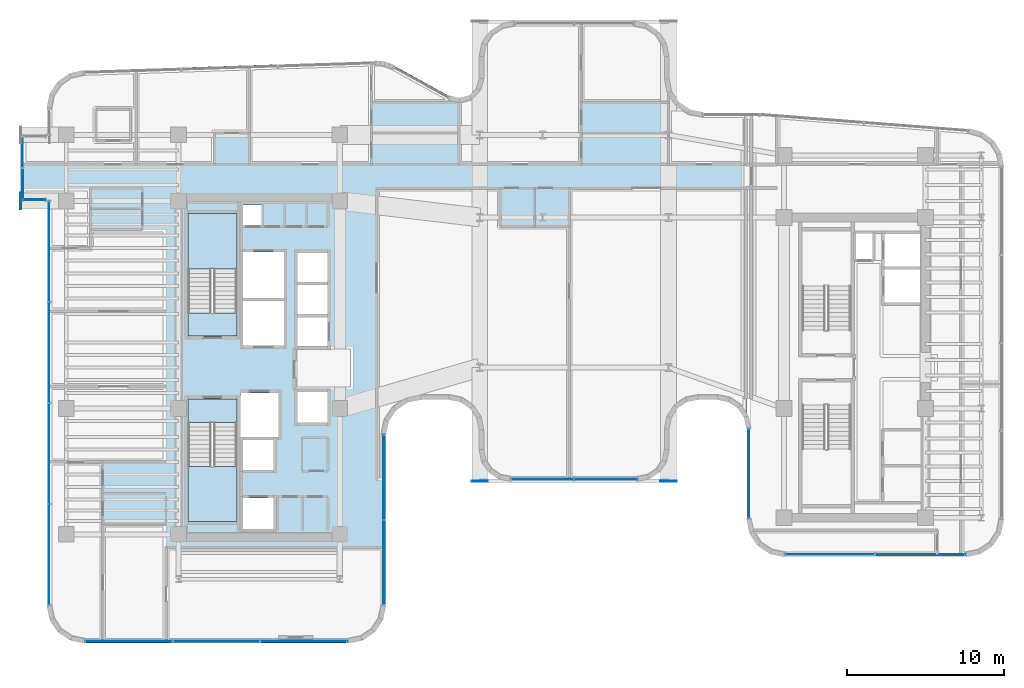
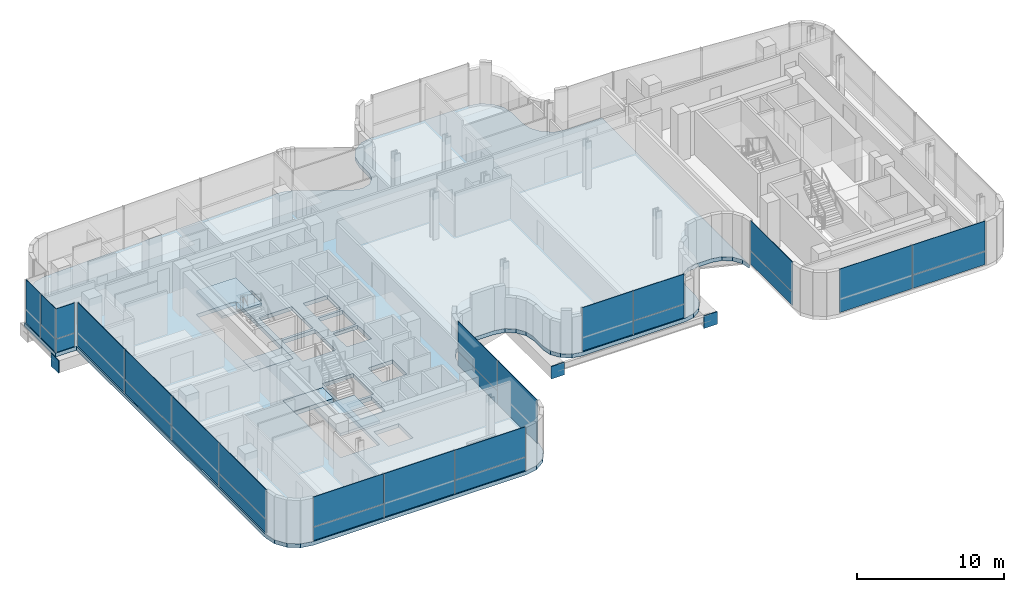
# One storey, part 25 of 39: 30 plates, 5 slabs, 10 elements without a shape of their own.
"""IFC4 building model written with IfcOpenShell, lengths in metres."""

from ifc_helpers import new_model, si_unit, direction, frame, origin, origin_2d, place, context, subcontext, project, spatial, polyline, rectangle, outline, extrude, source, transform, mapped, material, layer, layer_set, type_object, element, aggregate, save


model = new_model("IFC4")

# Units and contexts
model_context = context("Model", 3, precision=1e-05, world=origin(), true_north=direction((0.0, 1.0)))
body_context = subcontext(model_context, "Body", "Model", "MODEL_VIEW")
ifc_project = project(units=[si_unit("LENGTHUNIT", "METRE"), si_unit("AREAUNIT", "SQUARE_METRE"), si_unit("VOLUMEUNIT", "CUBIC_METRE"), si_unit("PLANEANGLEUNIT", "RADIAN"), si_unit("MASSUNIT", "GRAM", prefix="KILO")], contexts=[model_context])

# Site, building, storey
site_placement = place(None, origin())
site = spatial("IfcSite", under=ifc_project, at=site_placement, CompositionType="ELEMENT")
building_placement = place(site_placement, origin())
building = spatial("IfcBuilding", under=site, at=building_placement, Name="Valdorenza Pilgrim Sanctuary Tower", CompositionType="ELEMENT")
storey_placement = place(building_placement, frame((0.0, 0.0, 184.449951171875)))
storey = spatial("IfcBuildingStorey", under=building, at=storey_placement, Name="L47", CompositionType="ELEMENT", Elevation=184.449951171875)

# Slab
ifc_material_1 = material(Name="Concrete C40/50", Category="concrete")
ifc_layer_1 = layer(ifc_material_1, 0.320068359375, Name="Concrete C40/50")
ifc_layer_set_1 = layer_set([ifc_layer_1], Name="Concrete C40/50")
slab_type_1 = type_object("IfcSlabType", Name="SLAB-PRY-320", PredefinedType="FLOOR", material=ifc_layer_set_1)
slab_1_placement = place(storey_placement, frame((0.0, 0.0, -0.320068359375)))
element("IfcSlab", 1, at=slab_1_placement, inside=storey, type_object=slab_type_1, Name="L47 Structural Floor Slab 1", PredefinedType="FLOOR", context=body_context, shape_type="SweptSolid", body=[
    extrude(outline(polyline([(-30.324462890625, 18.14599609375), (-29.572265625, 18.671142578125), (-28.677978515625, 18.87548828125), (-10.157958984375, 19.478515625), (-9.837158203125, 19.467529296875), (-9.520751953125, 19.413818359375), (-9.214111328125, 19.318359375), (-8.923095703125, 19.182861328125), (-5.43115234375, 17.26220703125), (-4.782958984375, 17.10107421875), (-4.139892578125, 17.2822265625), (-3.671142578125, 17.75830078125), (-3.5, 18.404052734375), (-3.5, 19.7958984375), (-3.332275390625, 20.639404296875), (-2.8544921875, 21.3544921875), (-2.139404296875, 21.832275390625), (-1.2958984375, 22.0), (6.2958984375, 22.0), (7.139404296875, 21.832275390625), (7.8544921875, 21.3544921875), (8.332275390625, 20.639404296875), (8.5, 19.7958984375), (8.5, 18.404052734375), (8.667724609375, 17.560546875), (9.1455078125, 16.845458984375), (9.860595703125, 16.367919921875), (10.7041015625, 16.199951171875), (13.5, 16.199951171875), (13.5, -3.89990234375), (13.35546875, -3.1728515625), (12.943603515625, -2.556396484375), (12.3271484375, -2.14453125), (11.60009765625, -2.0), (10.39990234375, -2.0), (9.6728515625, -2.14453125), (9.056396484375, -2.556396484375), (8.64453125, -3.1728515625), (8.5, -3.89990234375), (8.5, -5.22412109375), (8.349609375, -5.980224609375), (7.921142578125, -6.62109375), (7.2802734375, -7.049560546875), (6.52392578125, -7.199951171875), (-1.52392578125, -7.199951171875), (-2.2802734375, -7.049560546875), (-2.921142578125, -6.62109375), (-3.349609375, -5.980224609375), (-3.5, -5.22412109375), (-3.5, -3.97607421875), (-3.650390625, -3.2197265625), (-4.078857421875, -2.578857421875), (-4.7197265625, -2.150390625), (-5.47607421875, -2.0), (-7.219970703125, -2.0), (-8.092529296875, -2.173583984375), (-8.832275390625, -2.667724609375), (-9.326416015625, -3.407470703125), (-9.5, -4.280029296875), (-9.5, -15.10009765625), (-9.6826171875, -16.018310546875), (-10.202880859375, -16.797119140625), (-10.981689453125, -17.3173828125), (-11.89990234375, -17.5), (-28.60009765625, -17.5), (-29.518310546875, -17.3173828125), (-30.297119140625, -16.797119140625), (-30.8173828125, -16.018310546875), (-31.0, -15.10009765625), (-31.0, 10.60009765625), (-32.64990234375, 10.60009765625), (-32.64990234375, 14.800048828125), (-31.0, 14.800048828125), (-31.0, 16.476806640625), (-30.82470703125, 17.377197265625), (-30.324462890625, 18.14599609375)]), holes=[polyline([(-16.60009765625, -10.25), (-16.60009765625, -8.300048828125), (-18.550048828125, -8.300048828125), (-18.550048828125, -10.25), (-16.60009765625, -10.25)]), polyline([(-22.050048828125, -9.800048828125), (-18.93994140625, -9.800048828125), (-18.93994140625, -3.485107421875), (-18.93994140625, -2.0), (-22.050048828125, -2.0), (-22.050048828125, -3.485107421875), (-22.050048828125, -9.800048828125)]), polyline([(-16.60009765625, -6.5), (-16.60009765625, -4.60009765625), (-18.550048828125, -4.60009765625), (-18.550048828125, -6.5), (-16.60009765625, -6.5)]), polyline([(-18.719970703125, -4.39990234375), (-16.300048828125, -4.39990234375), (-16.300048828125, -1.60009765625), (-18.719970703125, -1.60009765625), (-18.719970703125, -4.39990234375)]), polyline([(-13.179931640625, 1.35009765625), (-13.179931640625, 3.199951171875), (-15.10009765625, 3.199951171875), (-15.10009765625, 1.35009765625), (-13.179931640625, 1.35009765625)]), polyline([(-22.050048828125, 2.0), (-18.93994140625, 2.0), (-18.93994140625, 3.485107421875), (-18.93994140625, 9.800048828125), (-22.050048828125, 9.800048828125), (-22.050048828125, 3.485107421875), (-22.050048828125, 2.0)]), polyline([(-15.949951171875, 1.39990234375), (-15.949951171875, 4.22509765625), (-18.550048828125, 4.22509765625), (-18.550048828125, 1.39990234375), (-15.949951171875, 1.39990234375)]), polyline([(-18.550048828125, 4.425048828125), (-15.949951171875, 4.425048828125), (-15.949951171875, 7.35009765625), (-18.550048828125, 7.35009765625), (-18.550048828125, 4.425048828125)]), polyline([(-17.360107421875, 9.030029296875), (-17.360107421875, 10.35009765625), (-18.570068359375, 10.35009765625), (-18.570068359375, 9.030029296875), (-17.360107421875, 9.030029296875)]), polyline([(-13.179931640625, -3.5), (-13.179931640625, -1.550048828125), (-15.10009765625, -1.550048828125), (-15.10009765625, -3.5), (-13.179931640625, -3.5)]), polyline([(-13.179931640625, 3.39990234375), (-13.179931640625, 5.25), (-15.10009765625, 5.25), (-15.10009765625, 3.39990234375), (-13.179931640625, 3.39990234375)]), polyline([(-13.179931640625, 5.449951171875), (-13.179931640625, 7.300048828125), (-15.10009765625, 7.300048828125), (-15.10009765625, 5.449951171875), (-13.179931640625, 5.449951171875)])]), origin(), (0.0, 0.0, 1.0), 0.320068359375),
])

# Stair, slab
stair_type = type_object("IfcStairType", Name="STR-DOG-CORE", PredefinedType="HALF_TURN_STAIR", material=ifc_material_1)
stair_1_placement = place(storey_placement, origin())
stair_1 = element("IfcStair", 2, at=stair_1_placement, inside=storey, type_object=stair_type, Name="L47 ST-A1", PredefinedType="HALF_TURN_STAIR")
ifc_layer_2 = layer(ifc_material_1, 0.199951171875, Name="Concrete C40/50")
ifc_layer_set_2 = layer_set([ifc_layer_2], Name="Concrete C40/50")
slab_type_2 = type_object("IfcSlabType", Name="SLAB-STL-200", PredefinedType="LANDING", material=ifc_layer_set_2)
slab_2_placement = place(storey_placement, frame((0.0, 0.0, 1.775146484375)))
slab_2 = element("IfcSlab", 3, at=slab_2_placement, type_object=slab_type_2, Name="ST-A1 landing 1", PredefinedType="LANDING", context=body_context, shape_type="SweptSolid", body=[
    extrude(outline(polyline([(-18.93994140625, 6.280029296875), (-18.93994140625, 9.800048828125), (-22.050048828125, 9.800048828125), (-22.050048828125, 6.280029296875), (-18.93994140625, 6.280029296875)])), origin(), (0.0, 0.0, 1.0), 0.199951171875),
])
aggregate(stair_1, [slab_2])

stair_2_placement = place(storey_placement, origin())
stair_2 = element("IfcStair", 4, at=stair_2_placement, inside=storey, type_object=stair_type, Name="L47 ST-A2", PredefinedType="HALF_TURN_STAIR")
slab_3_placement = place(storey_placement, frame((0.0, 0.0, 1.775146484375)))
slab_3 = element("IfcSlab", 5, at=slab_3_placement, type_object=slab_type_2, Name="ST-A2 landing 1", PredefinedType="LANDING", context=body_context, shape_type="SweptSolid", body=[
    extrude(outline(polyline([(-22.050048828125, -6.280029296875), (-22.050048828125, -9.800048828125), (-18.93994140625, -9.800048828125), (-18.93994140625, -6.280029296875), (-22.050048828125, -6.280029296875)])), origin(), (0.0, 0.0, 1.0), 0.199951171875),
])
aggregate(stair_2, [slab_3])

# Slabs
ifc_material_2 = material(Name="Concrete C50/60", Category="concrete")
ifc_layer_3 = layer(ifc_material_2, 0.39990234375, Name="Concrete C50/60")
ifc_layer_set_3 = layer_set([ifc_layer_3], Name="Concrete C50/60")
slab_type_3 = type_object("IfcSlabType", Name="SLAB-TRF-400", PredefinedType="FLOOR", material=ifc_layer_set_3)
slab_4_placement = place(storey_placement, frame((0.0, 0.0, -0.35986328125)))
element("IfcSlab", 6, at=slab_4_placement, inside=storey, type_object=slab_type_3, Name="L47 ST-A1 Structural Stair Landing Bearing Slab", PredefinedType="FLOOR", context=body_context, shape_type="SweptSolid", body=[
    extrude(outline(polyline([(-22.050048828125, 2.0), (-18.93994140625, 2.0), (-18.93994140625, 3.485107421875), (-22.050048828125, 3.485107421875), (-22.050048828125, 2.0)])), origin(), (0.0, 0.0, 1.0), 0.35986328125),
])
slab_5_placement = place(storey_placement, frame((0.0, 0.0, -0.35986328125)))
element("IfcSlab", 7, at=slab_5_placement, inside=storey, type_object=slab_type_3, Name="L47 ST-A2 Structural Stair Landing Bearing Slab", PredefinedType="FLOOR", context=body_context, shape_type="SweptSolid", body=[
    extrude(outline(polyline([(-22.050048828125, -3.485107421875), (-18.93994140625, -3.485107421875), (-18.93994140625, -2.0), (-22.050048828125, -2.0), (-22.050048828125, -3.485107421875)])), origin(), (0.0, 0.0, 1.0), 0.35986328125),
])

# Plates
ifc_material_3 = material(Name="Steel ASTM A572 Grade 42", Category="steel")
ifc_layer_4 = layer(ifc_material_3, 0.06005859375, Name="Steel ASTM A572 Grade 42")
ifc_layer_set_4 = layer_set([ifc_layer_4], Name="Steel ASTM A572 Grade 42")
plate_type_1 = type_object("IfcPlateType", Name="PLT-CAP-60", PredefinedType="SHEET", material=ifc_layer_set_4)
shared_shape_1 = source(origin(), body_context, "Body", "SweptSolid", [
    extrude(rectangle(XDim=0.06005859375, YDim=1.0400390625, at=origin_2d()), origin(), (0.0, 0.0, 1.0), 1.0400390625),
])
plate_1_placement = place(storey_placement, frame((-32.679931640625, 10.60009765625, -1.340087890625), z_axis=(0.0, 0.0, 1.0), x_axis=(1.0, 0.0, 0.0)))
element("IfcPlate", 8, at=plate_1_placement, inside=storey, type_object=plate_type_1, Name="L47 BOX-WA-L47 Cantilever Tip End Cap S", PredefinedType="SHEET", context=body_context, shape_type="MappedRepresentation", body=[
    mapped(shared_shape_1, transform((0.0, 0.0, 0.0), x_axis=(1.0, 0.0, 0.0), y_axis=(0.0, 1.0, 0.0), z_axis=(0.0, 0.0, 1.0), scale=1.0)),
])
shared_shape_2 = source(origin(), body_context, "Body", "SweptSolid", [
    extrude(rectangle(XDim=1.0400390625, YDim=0.06005859375, at=origin_2d()), origin(), (0.0, 0.0, 1.0), 1.0400390625),
])
for number, where, z_axis, x_axis, name in (
    (9, (-3.5, -7.22998046875, -1.340087890625), (0.0, 0.0, 1.0), (1.0, 0.0, 0.0), "L47 South Prow Cantilever End Cap W"),
    (10, (8.5, -7.22998046875, -1.340087890625), (0.0, 0.0, 1.0), (1.0, 0.0, 0.0), "L47 South Prow Cantilever End Cap E"),
):
    element("IfcPlate", number, at=place(storey_placement, frame(where, z_axis=z_axis, x_axis=x_axis)), inside=storey, type_object=plate_type_1, Name=name, PredefinedType="SHEET", context=body_context, shape_type="MappedRepresentation", body=[
        mapped(shared_shape_2, transform((0.0, 0.0, 0.0), x_axis=(1.0, 0.0, 0.0), y_axis=(0.0, 1.0, 0.0), z_axis=(0.0, 0.0, 1.0), scale=1.0)),
    ])

# Curtain wall, plate
ifc_material_4 = material(Name="Curtain-wall IGU glazing", Category="glass")
curtain_wall_type_1 = type_object("IfcCurtainWallType", Name="CW-SYS-05", PredefinedType="NOTDEFINED", material=ifc_material_4)
curtain_wall_1_placement = place(storey_placement, origin())
curtain_wall_1 = element("IfcCurtainWall", 11, at=curtain_wall_1_placement, inside=storey, type_object=curtain_wall_type_1, Name="L47 Curtain Wall CW-L47-1-47", PredefinedType="NOTDEFINED")
ifc_material_5 = material(Name="Honed travertine limestone", Category="masonry")
ifc_layer_5 = layer(ifc_material_5, 0.050048828125, Name="Honed travertine limestone")
ifc_layer_set_5 = layer_set([ifc_layer_5], Name="Honed travertine limestone")
plate_type_2 = type_object("IfcPlateType", Name="CW-SPN-TRV", PredefinedType="USERDEFINED", material=ifc_layer_set_5)
shared_shape_3 = source(origin(), body_context, "Body", "SweptSolid", [
    extrude(rectangle(XDim=5.679931640625, YDim=0.06005859375, at=origin_2d()), origin(), (0.0, 0.0, 1.0), 1.10009765625),
])
plate_2_placement = place(storey_placement, frame((13.610107421875, -6.7392578125, 0.010009765625), z_axis=(0.0, 0.0, 1.0), x_axis=(0.0, 1.0, 0.0)))
plate_2 = element("IfcPlate", 12, at=plate_2_placement, type_object=plate_type_2, Name="CW-L47-1-47 Travertine Spandrel 1", ObjectType="SPANDREL", PredefinedType="USERDEFINED", context=body_context, shape_type="MappedRepresentation", body=[
    mapped(shared_shape_3, transform((0.0, 0.0, 0.0), x_axis=(1.0, 0.0, 0.0), y_axis=(0.0, 1.0, 0.0), z_axis=(0.0, 0.0, 1.0), scale=1.0)),
])

curtain_wall_type_2 = type_object("IfcCurtainWallType", Name="CW-SYS-02", PredefinedType="NOTDEFINED", material=ifc_material_4)
curtain_wall_2_placement = place(storey_placement, origin())
curtain_wall_2 = element("IfcCurtainWall", 13, at=curtain_wall_2_placement, inside=storey, type_object=curtain_wall_type_2, Name="L47 Curtain Wall CW-L47-BOX-WA-L47-S", PredefinedType="NOTDEFINED")
shared_shape_4 = source(origin(), body_context, "Body", "SweptSolid", [
    extrude(rectangle(XDim=1.43994140625, YDim=0.06005859375, at=origin_2d()), origin(), (0.0, 0.0, 1.0), 1.10009765625),
])
plate_3_placement = place(storey_placement, frame((-31.840087890625, 10.679931640625, 0.010009765625), z_axis=(0.0, 0.0, 1.0), x_axis=(-1.0, 0.0, 0.0)))
plate_3 = element("IfcPlate", 14, at=plate_3_placement, type_object=plate_type_2, Name="CW-L47-BOX-WA-L47-S Travertine Spandrel 1", ObjectType="SPANDREL", PredefinedType="USERDEFINED", context=body_context, shape_type="MappedRepresentation", body=[
    mapped(shared_shape_4, transform((0.0, 0.0, 0.0), x_axis=(1.0, 0.0, 0.0), y_axis=(0.0, 1.0, 0.0), z_axis=(0.0, 0.0, 1.0), scale=1.0)),
])

curtain_wall_3_placement = place(storey_placement, origin())
curtain_wall_3 = element("IfcCurtainWall", 15, at=curtain_wall_3_placement, inside=storey, type_object=curtain_wall_type_2, Name="L47 Curtain Wall CW-L47-BOX-WA-L47-F", PredefinedType="NOTDEFINED")
shared_shape_5 = source(origin(), body_context, "Body", "SweptSolid", [
    extrude(rectangle(XDim=2.0, YDim=0.06005859375, at=origin_2d()), origin(), (0.0, 0.0, 1.0), 1.10009765625),
])
plate_4_placement = place(storey_placement, frame((-32.570068359375, 11.68994140625, 0.010009765625), z_axis=(0.0, 0.0, 1.0), x_axis=(0.0, 1.0, 0.0)))
plate_4 = element("IfcPlate", 16, at=plate_4_placement, type_object=plate_type_2, Name="CW-L47-BOX-WA-L47-F Travertine Spandrel 1", ObjectType="SPANDREL", PredefinedType="USERDEFINED", context=body_context, shape_type="MappedRepresentation", body=[
    mapped(shared_shape_5, transform((0.0, 0.0, 0.0), x_axis=(1.0, 0.0, 0.0), y_axis=(0.0, 1.0, 0.0), z_axis=(0.0, 0.0, 1.0), scale=1.0)),
])

curtain_wall_type_3 = type_object("IfcCurtainWallType", Name="CW-SYS-03", PredefinedType="NOTDEFINED", material=ifc_material_4)
curtain_wall_4_placement = place(storey_placement, origin())
curtain_wall_4 = element("IfcCurtainWall", 17, at=curtain_wall_4_placement, inside=storey, type_object=curtain_wall_type_3, Name="L47 Curtain Wall CW-L47-1-42", PredefinedType="NOTDEFINED")
shared_shape_6 = source(origin(), body_context, "Body", "SweptSolid", [
    extrude(rectangle(XDim=5.71923828125, YDim=0.06005859375, at=origin_2d()), origin(), (0.0, 0.0, 1.0), 1.10009765625),
])
plate_5_placement = place(storey_placement, frame((24.51953125, -11.889892578125, 0.010009765625), z_axis=(0.0, 0.0, 1.0), x_axis=(-1.0, 0.0, 0.0)))
plate_5 = element("IfcPlate", 18, at=plate_5_placement, type_object=plate_type_2, Name="CW-L47-1-42 Travertine Spandrel 1", ObjectType="SPANDREL", PredefinedType="USERDEFINED", context=body_context, shape_type="MappedRepresentation", body=[
    mapped(shared_shape_6, transform((0.0, 0.0, 0.0), x_axis=(1.0, 0.0, 0.0), y_axis=(0.0, 1.0, 0.0), z_axis=(0.0, 0.0, 1.0), scale=1.0)),
])

curtain_wall_5_placement = place(storey_placement, origin())
curtain_wall_5 = element("IfcCurtainWall", 19, at=curtain_wall_5_placement, inside=storey, type_object=curtain_wall_type_1, Name="L47 Curtain Wall CW-L47-1-62", PredefinedType="NOTDEFINED")
shared_shape_7 = source(origin(), body_context, "Body", "SweptSolid", [
    extrude(rectangle(XDim=3.9931640625, YDim=0.06005859375, at=origin_2d()), origin(), (0.0, 0.0, 1.0), 1.10009765625),
])
plate_6_placement = place(storey_placement, frame((4.506591796875, -7.090087890625, 0.010009765625), z_axis=(0.0, 0.0, 1.0), x_axis=(-1.0, 0.0, 0.0)))
plate_6 = element("IfcPlate", 20, at=plate_6_placement, type_object=plate_type_2, Name="CW-L47-1-62 Travertine Spandrel 1", ObjectType="SPANDREL", PredefinedType="USERDEFINED", context=body_context, shape_type="MappedRepresentation", body=[
    mapped(shared_shape_7, transform((0.0, 0.0, 0.0), x_axis=(1.0, 0.0, 0.0), y_axis=(0.0, 1.0, 0.0), z_axis=(0.0, 0.0, 1.0), scale=1.0)),
])

curtain_wall_6_placement = place(storey_placement, origin())
curtain_wall_6 = element("IfcCurtainWall", 21, at=curtain_wall_6_placement, inside=storey, type_object=curtain_wall_type_1, Name="L47 Curtain Wall CW-L47-1-77", PredefinedType="NOTDEFINED")
shared_shape_8 = source(origin(), body_context, "Body", "SweptSolid", [
    extrude(rectangle(XDim=5.389892578125, YDim=0.06005859375, at=origin_2d()), origin(), (0.0, 0.0, 1.0), 1.10009765625),
])
plate_7_placement = place(storey_placement, frame((-9.610107421875, -6.97412109375, 0.010009765625), z_axis=(0.0, 0.0, 1.0), x_axis=(0.0, -1.0, 0.0)))
plate_7 = element("IfcPlate", 22, at=plate_7_placement, type_object=plate_type_2, Name="CW-L47-1-77 Travertine Spandrel 1", ObjectType="SPANDREL", PredefinedType="USERDEFINED", context=body_context, shape_type="MappedRepresentation", body=[
    mapped(shared_shape_8, transform((0.0, 0.0, 0.0), x_axis=(1.0, 0.0, 0.0), y_axis=(0.0, 1.0, 0.0), z_axis=(0.0, 0.0, 1.0), scale=1.0)),
])

# Curtain wall, plates
curtain_wall_7_placement = place(storey_placement, origin())
curtain_wall_7 = element("IfcCurtainWall", 23, at=curtain_wall_7_placement, inside=storey, type_object=curtain_wall_type_2, Name="L47 Curtain Wall CW-L47-1-82", PredefinedType="NOTDEFINED")
shared_shape_9 = source(origin(), body_context, "Body", "SweptSolid", [
    extrude(rectangle(XDim=5.53955078125, YDim=0.06005859375, at=origin_2d()), origin(), (0.0, 0.0, 1.0), 1.10009765625),
])
plate_8_placement = place(storey_placement, frame((-14.6904296875, -17.389892578125, 0.010009765625), z_axis=(0.0, 0.0, 1.0), x_axis=(-1.0, 0.0, 0.0)))
plate_8 = element("IfcPlate", 24, at=plate_8_placement, type_object=plate_type_2, Name="CW-L47-1-82 Travertine Spandrel 1", ObjectType="SPANDREL", PredefinedType="USERDEFINED", context=body_context, shape_type="MappedRepresentation", body=[
    mapped(shared_shape_9, transform((0.0, 0.0, 0.0), x_axis=(1.0, 0.0, 0.0), y_axis=(0.0, 1.0, 0.0), z_axis=(0.0, 0.0, 1.0), scale=1.0)),
])
plate_9_placement = place(storey_placement, frame((-25.8095703125, -17.389892578125, 0.010009765625), z_axis=(0.0, 0.0, 1.0), x_axis=(-1.0, 0.0, 0.0)))
plate_9 = element("IfcPlate", 25, at=plate_9_placement, type_object=plate_type_2, Name="CW-L47-1-82 Travertine Spandrel 3", ObjectType="SPANDREL", PredefinedType="USERDEFINED", context=body_context, shape_type="MappedRepresentation", body=[
    mapped(shared_shape_9, transform((0.0, 0.0, 0.0), x_axis=(1.0, 0.0, 0.0), y_axis=(0.0, 1.0, 0.0), z_axis=(0.0, 0.0, 1.0), scale=1.0)),
])

# Plate
ifc_material_6 = material(Name="Ceramic-fritted low-E IGU glazing", Category="glass")
ifc_layer_6 = layer(ifc_material_6, 0.035888671875, Name="Ceramic-fritted low-E IGU glazing")
ifc_layer_set_6 = layer_set([ifc_layer_6], Name="Ceramic-fritted low-E IGU glazing")
plate_type_3 = type_object("IfcPlateType", Name="CW-GLZ-IGU", PredefinedType="USERDEFINED", material=ifc_layer_set_6)
shared_shape_10 = source(origin(), body_context, "Body", "SweptSolid", [
    extrude(rectangle(XDim=5.71923828125, YDim=0.050048828125, at=origin_2d()), origin(), (0.0, 0.0, 1.0), 2.489990234375),
])
plate_10_placement = place(storey_placement, frame((24.51953125, -11.889892578125, 1.1298828125), z_axis=(0.0, 0.0, 1.0), x_axis=(-1.0, 0.0, 0.0)))
plate_10 = element("IfcPlate", 26, at=plate_10_placement, type_object=plate_type_3, Name="CW-L47-1-42 Facade Panel 1", ObjectType="GLAZING", PredefinedType="USERDEFINED", context=body_context, shape_type="MappedRepresentation", body=[
    mapped(shared_shape_10, transform((0.0, 0.0, 0.0), x_axis=(1.0, 0.0, 0.0), y_axis=(0.0, 1.0, 0.0), z_axis=(0.0, 0.0, 1.0), scale=1.0)),
])

shared_shape_11 = source(origin(), body_context, "Body", "SweptSolid", [
    extrude(rectangle(XDim=5.71923828125, YDim=0.050048828125, at=origin_2d()), origin(), (0.0, 0.0, 1.0), 3.610107421875),
])
plate_11_placement = place(storey_placement, frame((18.780517578125, -11.889892578125, 0.009765625), z_axis=(0.0, 0.0, 1.0), x_axis=(-1.0, 0.0, 0.0)))
plate_11 = element("IfcPlate", 27, at=plate_11_placement, type_object=plate_type_3, Name="CW-L47-1-42 Full-Height Facade Panel 2", ObjectType="GLAZING", PredefinedType="USERDEFINED", context=body_context, shape_type="MappedRepresentation", body=[
    mapped(shared_shape_11, transform((0.0, 0.0, 0.0), x_axis=(1.0, 0.0, 0.0), y_axis=(0.0, 1.0, 0.0), z_axis=(0.0, 0.0, 1.0), scale=1.0)),
])

aggregate(curtain_wall_4, [plate_5, plate_10, plate_11])

shared_shape_12 = source(origin(), body_context, "Body", "SweptSolid", [
    extrude(rectangle(XDim=5.679931640625, YDim=0.050048828125, at=origin_2d()), origin(), (0.0, 0.0, 1.0), 2.489990234375),
])
plate_12_placement = place(storey_placement, frame((13.610107421875, -6.7392578125, 1.1298828125), z_axis=(0.0, 0.0, 1.0), x_axis=(0.0, 1.0, 0.0)))
plate_12 = element("IfcPlate", 28, at=plate_12_placement, type_object=plate_type_3, Name="CW-L47-1-47 Facade Panel 1", ObjectType="GLAZING", PredefinedType="USERDEFINED", context=body_context, shape_type="MappedRepresentation", body=[
    mapped(shared_shape_12, transform((0.0, 0.0, 0.0), x_axis=(1.0, 0.0, 0.0), y_axis=(0.0, 1.0, 0.0), z_axis=(0.0, 0.0, 1.0), scale=1.0)),
])

aggregate(curtain_wall_1, [plate_2, plate_12])

shared_shape_13 = source(origin(), body_context, "Body", "SweptSolid", [
    extrude(rectangle(XDim=3.9931640625, YDim=0.050048828125, at=origin_2d()), origin(), (0.0, 0.0, 1.0), 2.489990234375),
])
plate_13_placement = place(storey_placement, frame((4.506591796875, -7.090087890625, 1.1298828125), z_axis=(0.0, 0.0, 1.0), x_axis=(-1.0, 0.0, 0.0)))
plate_13 = element("IfcPlate", 29, at=plate_13_placement, type_object=plate_type_3, Name="CW-L47-1-62 Facade Panel 1", ObjectType="GLAZING", PredefinedType="USERDEFINED", context=body_context, shape_type="MappedRepresentation", body=[
    mapped(shared_shape_13, transform((0.0, 0.0, 0.0), x_axis=(1.0, 0.0, 0.0), y_axis=(0.0, 1.0, 0.0), z_axis=(0.0, 0.0, 1.0), scale=1.0)),
])

shared_shape_14 = source(origin(), body_context, "Body", "SweptSolid", [
    extrude(rectangle(XDim=3.9931640625, YDim=0.050048828125, at=origin_2d()), origin(), (0.0, 0.0, 1.0), 3.610107421875),
])
plate_14_placement = place(storey_placement, frame((0.493408203125, -7.090087890625, 0.009765625), z_axis=(0.0, 0.0, 1.0), x_axis=(-1.0, 0.0, 0.0)))
plate_14 = element("IfcPlate", 30, at=plate_14_placement, type_object=plate_type_3, Name="CW-L47-1-62 Full-Height Facade Panel 2", ObjectType="GLAZING", PredefinedType="USERDEFINED", context=body_context, shape_type="MappedRepresentation", body=[
    mapped(shared_shape_14, transform((0.0, 0.0, 0.0), x_axis=(1.0, 0.0, 0.0), y_axis=(0.0, 1.0, 0.0), z_axis=(0.0, 0.0, 1.0), scale=1.0)),
])

aggregate(curtain_wall_5, [plate_6, plate_13, plate_14])

shared_shape_15 = source(origin(), body_context, "Body", "SweptSolid", [
    extrude(rectangle(XDim=5.389892578125, YDim=0.050048828125, at=origin_2d()), origin(), (0.0, 0.0, 1.0), 2.489990234375),
])
plate_15_placement = place(storey_placement, frame((-9.610107421875, -6.97412109375, 1.1298828125), z_axis=(0.0, 0.0, 1.0), x_axis=(0.0, -1.0, 0.0)))
plate_15 = element("IfcPlate", 31, at=plate_15_placement, type_object=plate_type_3, Name="CW-L47-1-77 Facade Panel 1", ObjectType="GLAZING", PredefinedType="USERDEFINED", context=body_context, shape_type="MappedRepresentation", body=[
    mapped(shared_shape_15, transform((0.0, 0.0, 0.0), x_axis=(1.0, 0.0, 0.0), y_axis=(0.0, 1.0, 0.0), z_axis=(0.0, 0.0, 1.0), scale=1.0)),
])

shared_shape_16 = source(origin(), body_context, "Body", "SweptSolid", [
    extrude(rectangle(XDim=5.389892578125, YDim=0.050048828125, at=origin_2d()), origin(), (0.0, 0.0, 1.0), 3.610107421875),
])
plate_16_placement = place(storey_placement, frame((-9.610107421875, -12.38427734375, 0.009765625), z_axis=(0.0, 0.0, 1.0), x_axis=(0.0, -1.0, 0.0)))
plate_16 = element("IfcPlate", 32, at=plate_16_placement, type_object=plate_type_3, Name="CW-L47-1-77 Full-Height Facade Panel 2", ObjectType="GLAZING", PredefinedType="USERDEFINED", context=body_context, shape_type="MappedRepresentation", body=[
    mapped(shared_shape_16, transform((0.0, 0.0, 0.0), x_axis=(1.0, 0.0, 0.0), y_axis=(0.0, 1.0, 0.0), z_axis=(0.0, 0.0, 1.0), scale=1.0)),
])

aggregate(curtain_wall_6, [plate_7, plate_15, plate_16])

shared_shape_17 = source(origin(), body_context, "Body", "SweptSolid", [
    extrude(rectangle(XDim=5.53955078125, YDim=0.050048828125, at=origin_2d()), origin(), (0.0, 0.0, 1.0), 2.489990234375),
])
plate_17_placement = place(storey_placement, frame((-14.6904296875, -17.389892578125, 1.1298828125), z_axis=(0.0, 0.0, 1.0), x_axis=(-1.0, 0.0, 0.0)))
plate_17 = element("IfcPlate", 33, at=plate_17_placement, type_object=plate_type_3, Name="CW-L47-1-82 Facade Panel 1", ObjectType="GLAZING", PredefinedType="USERDEFINED", context=body_context, shape_type="MappedRepresentation", body=[
    mapped(shared_shape_17, transform((0.0, 0.0, 0.0), x_axis=(1.0, 0.0, 0.0), y_axis=(0.0, 1.0, 0.0), z_axis=(0.0, 0.0, 1.0), scale=1.0)),
])

plate_18_placement = place(storey_placement, frame((-25.8095703125, -17.389892578125, 1.1298828125), z_axis=(0.0, 0.0, 1.0), x_axis=(-1.0, 0.0, 0.0)))
plate_18 = element("IfcPlate", 34, at=plate_18_placement, type_object=plate_type_3, Name="CW-L47-1-82 Facade Panel 3", ObjectType="GLAZING", PredefinedType="USERDEFINED", context=body_context, shape_type="MappedRepresentation", body=[
    mapped(shared_shape_17, transform((0.0, 0.0, 0.0), x_axis=(1.0, 0.0, 0.0), y_axis=(0.0, 1.0, 0.0), z_axis=(0.0, 0.0, 1.0), scale=1.0)),
])

shared_shape_18 = source(origin(), body_context, "Body", "SweptSolid", [
    extrude(rectangle(XDim=5.53955078125, YDim=0.050048828125, at=origin_2d()), origin(), (0.0, 0.0, 1.0), 3.610107421875),
])
plate_19_placement = place(storey_placement, frame((-20.25, -17.389892578125, 0.009765625), z_axis=(0.0, 0.0, 1.0), x_axis=(-1.0, 0.0, 0.0)))
plate_19 = element("IfcPlate", 35, at=plate_19_placement, type_object=plate_type_3, Name="CW-L47-1-82 Full-Height Facade Panel 2", ObjectType="GLAZING", PredefinedType="USERDEFINED", context=body_context, shape_type="MappedRepresentation", body=[
    mapped(shared_shape_18, transform((0.0, 0.0, 0.0), x_axis=(1.0, 0.0, 0.0), y_axis=(0.0, 1.0, 0.0), z_axis=(0.0, 0.0, 1.0), scale=1.0)),
])

aggregate(curtain_wall_7, [plate_8, plate_17, plate_19, plate_9, plate_18])

shared_shape_19 = source(origin(), body_context, "Body", "SweptSolid", [
    extrude(rectangle(XDim=1.43994140625, YDim=0.050048828125, at=origin_2d()), origin(), (0.0, 0.0, 1.0), 2.489990234375),
])
plate_20_placement = place(storey_placement, frame((-31.840087890625, 10.679931640625, 1.1298828125), z_axis=(0.0, 0.0, 1.0), x_axis=(-1.0, 0.0, 0.0)))
plate_20 = element("IfcPlate", 36, at=plate_20_placement, type_object=plate_type_3, Name="CW-L47-BOX-WA-L47-S Facade Panel 1", ObjectType="GLAZING", PredefinedType="USERDEFINED", context=body_context, shape_type="MappedRepresentation", body=[
    mapped(shared_shape_19, transform((0.0, 0.0, 0.0), x_axis=(1.0, 0.0, 0.0), y_axis=(0.0, 1.0, 0.0), z_axis=(0.0, 0.0, 1.0), scale=1.0)),
])

aggregate(curtain_wall_2, [plate_3, plate_20])

# Curtain wall, plates
curtain_wall_8_placement = place(storey_placement, origin())
curtain_wall_8 = element("IfcCurtainWall", 37, at=curtain_wall_8_placement, inside=storey, type_object=curtain_wall_type_2, Name="L47 Curtain Wall CW-L47-1-1S1", PredefinedType="NOTDEFINED")
shared_shape_20 = source(origin(), body_context, "Body", "SweptSolid", [
    extrude(rectangle(XDim=6.40234375, YDim=0.06005859375, at=origin_2d()), origin(), (0.0, 0.0, 1.0), 1.10009765625),
])
plate_21_placement = place(storey_placement, frame((-30.889892578125, -11.8779296875, 0.010009765625), z_axis=(0.0, 0.0, 1.0), x_axis=(0.0, 1.0, 0.0)))
plate_21 = element("IfcPlate", 38, at=plate_21_placement, type_object=plate_type_2, Name="CW-L47-1-1S1 Travertine Spandrel 1", ObjectType="SPANDREL", PredefinedType="USERDEFINED", context=body_context, shape_type="MappedRepresentation", body=[
    mapped(shared_shape_20, transform((0.0, 0.0, 0.0), x_axis=(1.0, 0.0, 0.0), y_axis=(0.0, 1.0, 0.0), z_axis=(0.0, 0.0, 1.0), scale=1.0)),
])
plate_22_placement = place(storey_placement, frame((-30.889892578125, 0.966552734375, 0.010009765625), z_axis=(0.0, 0.0, 1.0), x_axis=(0.0, 1.0, 0.0)))
plate_22 = element("IfcPlate", 39, at=plate_22_placement, type_object=plate_type_2, Name="CW-L47-1-1S1 Travertine Spandrel 3", ObjectType="SPANDREL", PredefinedType="USERDEFINED", context=body_context, shape_type="MappedRepresentation", body=[
    mapped(shared_shape_20, transform((0.0, 0.0, 0.0), x_axis=(1.0, 0.0, 0.0), y_axis=(0.0, 1.0, 0.0), z_axis=(0.0, 0.0, 1.0), scale=1.0)),
])
shared_shape_21 = source(origin(), body_context, "Body", "SweptSolid", [
    extrude(rectangle(XDim=6.40234375, YDim=0.050048828125, at=origin_2d()), origin(), (0.0, 0.0, 1.0), 2.489990234375),
])
plate_23_placement = place(storey_placement, frame((-30.889892578125, -11.8779296875, 1.1298828125), z_axis=(0.0, 0.0, 1.0), x_axis=(0.0, 1.0, 0.0)))
plate_23 = element("IfcPlate", 40, at=plate_23_placement, type_object=plate_type_3, Name="CW-L47-1-1S1 Facade Panel 1", ObjectType="GLAZING", PredefinedType="USERDEFINED", context=body_context, shape_type="MappedRepresentation", body=[
    mapped(shared_shape_21, transform((0.0, 0.0, 0.0), x_axis=(1.0, 0.0, 0.0), y_axis=(0.0, 1.0, 0.0), z_axis=(0.0, 0.0, 1.0), scale=1.0)),
])
plate_24_placement = place(storey_placement, frame((-30.889892578125, 0.966552734375, 1.1298828125), z_axis=(0.0, 0.0, 1.0), x_axis=(0.0, 1.0, 0.0)))
plate_24 = element("IfcPlate", 41, at=plate_24_placement, type_object=plate_type_3, Name="CW-L47-1-1S1 Facade Panel 3", ObjectType="GLAZING", PredefinedType="USERDEFINED", context=body_context, shape_type="MappedRepresentation", body=[
    mapped(shared_shape_21, transform((0.0, 0.0, 0.0), x_axis=(1.0, 0.0, 0.0), y_axis=(0.0, 1.0, 0.0), z_axis=(0.0, 0.0, 1.0), scale=1.0)),
])
shared_shape_22 = source(origin(), body_context, "Body", "SweptSolid", [
    extrude(rectangle(XDim=6.40234375, YDim=0.050048828125, at=origin_2d()), origin(), (0.0, 0.0, 1.0), 3.610107421875),
])
plate_25_placement = place(storey_placement, frame((-30.889892578125, -5.455810546875, 0.009765625), z_axis=(0.0, 0.0, 1.0), x_axis=(0.0, 1.0, 0.0)))
plate_25 = element("IfcPlate", 42, at=plate_25_placement, type_object=plate_type_3, Name="CW-L47-1-1S1 Full-Height Facade Panel 2", ObjectType="GLAZING", PredefinedType="USERDEFINED", context=body_context, shape_type="MappedRepresentation", body=[
    mapped(shared_shape_22, transform((0.0, 0.0, 0.0), x_axis=(1.0, 0.0, 0.0), y_axis=(0.0, 1.0, 0.0), z_axis=(0.0, 0.0, 1.0), scale=1.0)),
])
plate_26_placement = place(storey_placement, frame((-30.889892578125, 7.388916015625, 0.009765625), z_axis=(0.0, 0.0, 1.0), x_axis=(0.0, 1.0, 0.0)))
plate_26 = element("IfcPlate", 43, at=plate_26_placement, type_object=plate_type_3, Name="CW-L47-1-1S1 Full-Height Facade Panel 4", ObjectType="GLAZING", PredefinedType="USERDEFINED", context=body_context, shape_type="MappedRepresentation", body=[
    mapped(shared_shape_22, transform((0.0, 0.0, 0.0), x_axis=(1.0, 0.0, 0.0), y_axis=(0.0, 1.0, 0.0), z_axis=(0.0, 0.0, 1.0), scale=1.0)),
])
aggregate(curtain_wall_8, [plate_21, plate_23, plate_25, plate_22, plate_24, plate_26])

# Plate
shared_shape_23 = source(origin(), body_context, "Body", "SweptSolid", [
    extrude(rectangle(XDim=2.0, YDim=0.050048828125, at=origin_2d()), origin(), (0.0, 0.0, 1.0), 2.489990234375),
])
plate_27_placement = place(storey_placement, frame((-32.570068359375, 11.68994140625, 1.1298828125), z_axis=(0.0, 0.0, 1.0), x_axis=(0.0, 1.0, 0.0)))
plate_27 = element("IfcPlate", 44, at=plate_27_placement, type_object=plate_type_3, Name="CW-L47-BOX-WA-L47-F Facade Panel 1", ObjectType="GLAZING", PredefinedType="USERDEFINED", context=body_context, shape_type="MappedRepresentation", body=[
    mapped(shared_shape_23, transform((0.0, 0.0, 0.0), x_axis=(1.0, 0.0, 0.0), y_axis=(0.0, 1.0, 0.0), z_axis=(0.0, 0.0, 1.0), scale=1.0)),
])

shared_shape_24 = source(origin(), body_context, "Body", "SweptSolid", [
    extrude(rectangle(XDim=2.0, YDim=0.050048828125, at=origin_2d()), origin(), (0.0, 0.0, 1.0), 3.610107421875),
])
plate_28_placement = place(storey_placement, frame((-32.570068359375, 13.7099609375, 0.009765625), z_axis=(0.0, 0.0, 1.0), x_axis=(0.0, 1.0, 0.0)))
plate_28 = element("IfcPlate", 45, at=plate_28_placement, type_object=plate_type_3, Name="CW-L47-BOX-WA-L47-F Full-Height Facade Panel 2", ObjectType="GLAZING", PredefinedType="USERDEFINED", context=body_context, shape_type="MappedRepresentation", body=[
    mapped(shared_shape_24, transform((0.0, 0.0, 0.0), x_axis=(1.0, 0.0, 0.0), y_axis=(0.0, 1.0, 0.0), z_axis=(0.0, 0.0, 1.0), scale=1.0)),
])

aggregate(curtain_wall_3, [plate_4, plate_27, plate_28])

save(model, "model.ifc")
